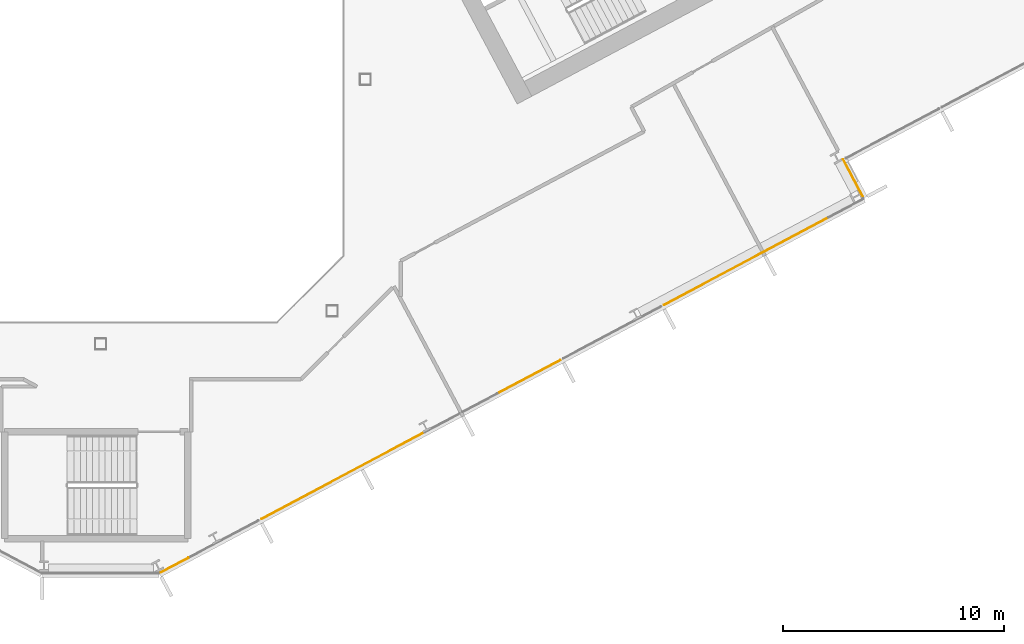
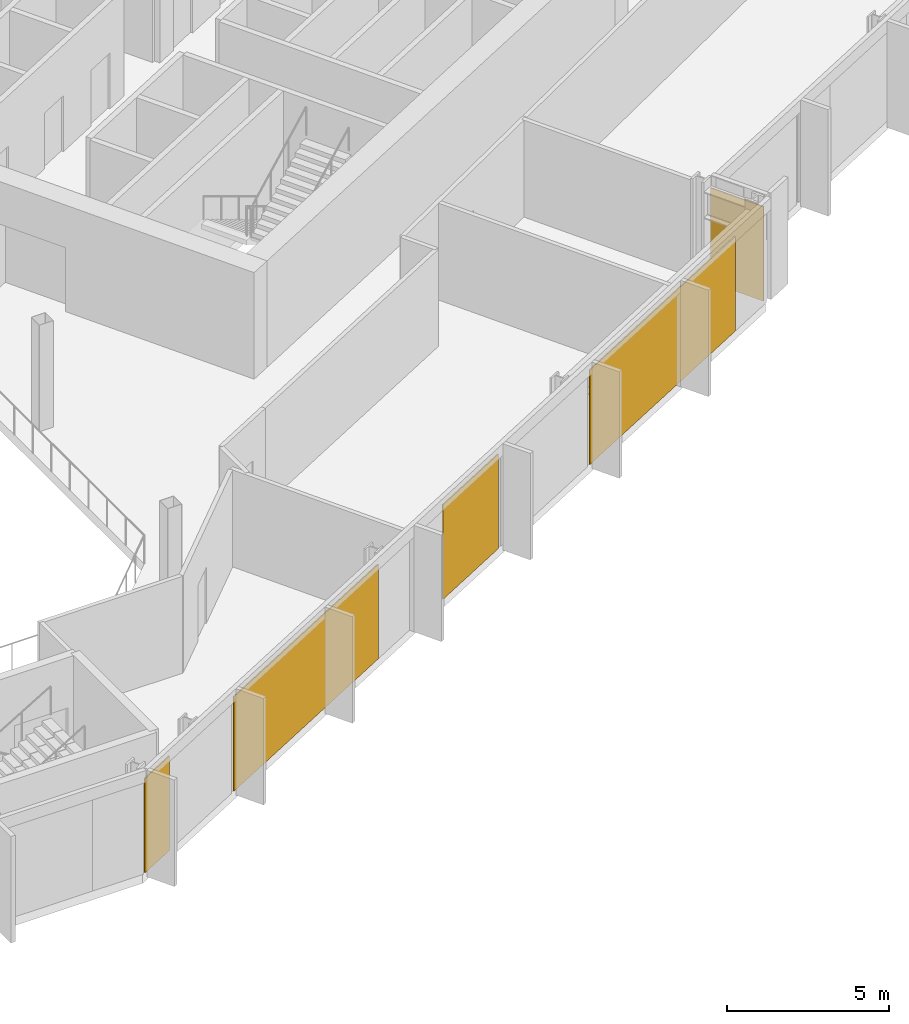
# One storey, part 24 of 28: 5 coverings, 2 elements without a shape of their own.
"""IFC4 building model written with IfcOpenShell, lengths in metres."""

from ifc_helpers import new_model, si_unit, direction, frame, origin, origin_2d, place, context, subcontext, project, spatial, rectangle, extrude, material, layer, layer_set, type_object, element, aggregate, save


model = new_model("IFC4")

# Units and contexts
model_context = context("Model", 3, precision=1e-05, world=origin(), true_north=direction((0.0, 1.0)))
body_context = subcontext(model_context, "Body", "Model", "MODEL_VIEW")
ifc_project = project(units=[si_unit("LENGTHUNIT", "METRE"), si_unit("AREAUNIT", "SQUARE_METRE"), si_unit("VOLUMEUNIT", "CUBIC_METRE"), si_unit("PLANEANGLEUNIT", "RADIAN"), si_unit("MASSUNIT", "GRAM", prefix="KILO")], contexts=[model_context])

# Site, building, storey
site_placement = place(None, origin())
site = spatial("IfcSite", under=ifc_project, at=site_placement, CompositionType="ELEMENT")
building_placement = place(site_placement, origin())
building = spatial("IfcBuilding", under=site, at=building_placement, Name="Cormorant Relay Tower", CompositionType="ELEMENT")
storey_placement = place(building_placement, frame((0.0, 0.0, 142.199951171875)))
storey = spatial("IfcBuildingStorey", under=building, at=storey_placement, Name="L29", CompositionType="ELEMENT", Elevation=142.199951171875)

# Curtain wall, coverings
ifc_material_1 = material(Name="Aluminium 6063-T6 anodised bronze", Category="aluminium")
ifc_layer_1 = layer(ifc_material_1, 0.199951171875)
ifc_layer_set_1 = layer_set([ifc_layer_1], Name="CW1 unitised bronze curtain wall with vertical fins")
curtain_wall_type = type_object("IfcCurtainWallType", Name="CW1 unitised bronze curtain wall with vertical fins", PredefinedType="NOTDEFINED", material=ifc_layer_set_1)
curtain_wall_1_placement = place(storey_placement, origin())
curtain_wall_1 = element("IfcCurtainWall", 1, at=curtain_wall_1_placement, inside=storey, type_object=curtain_wall_type, Name="CW1 curtain wall 2", PredefinedType="NOTDEFINED")
ifc_material_2 = material(Name="Pale bronze anodised aluminium insulated panel", Category="aluminium")
ifc_layer_2 = layer(ifc_material_2, 0.0400390625)
ifc_layer_set_2 = layer_set([ifc_layer_2], Name="CW1 pale bronze insulated panel 40")
covering_type = type_object("IfcCoveringType", Name="CW1 pale bronze insulated panel 40", PredefinedType="CLADDING", material=ifc_layer_set_2)
covering_1_placement = place(storey_placement, frame((3.349853515625, -22.025390625, 0.0), z_axis=(0.0, 0.0, 1.0), x_axis=(0.882947592859, 0.469471562786, 0.0)))
covering_1 = element("IfcCovering", 2, at=covering_1_placement, type_object=covering_type, Name="CW1 panel S00", PredefinedType="CLADDING", context=body_context, shape_type="SweptSolid", body=[
    extrude(rectangle(XDim=1.41650390625, YDim=0.0400390625, at=origin_2d()), origin(), (0.0, 0.0, 1.0), 3.550048828125),
])
covering_2_placement = place(storey_placement, frame((10.9873046875, -17.964599609375, 0.0), z_axis=(0.0, 0.0, 1.0), x_axis=(0.882947592859, 0.469471562786, 0.0)))
covering_2 = element("IfcCovering", 3, at=covering_2_placement, type_object=covering_type, Name="CW1 panel S02", PredefinedType="CLADDING", context=body_context, shape_type="SweptSolid", body=[
    extrude(rectangle(XDim=8.383056640625, YDim=0.0400390625, at=origin_2d()), origin(), (0.0, 0.0, 1.0), 3.550048828125),
])
covering_3_placement = place(storey_placement, frame((19.419189453125, -13.481201171875, 0.0), z_axis=(0.0, 0.0, 1.0), x_axis=(0.882947592859, 0.469471562786, 0.0)))
covering_3 = element("IfcCovering", 4, at=covering_3_placement, type_object=covering_type, Name="CW1 panel S05", PredefinedType="CLADDING", context=body_context, shape_type="SweptSolid", body=[
    extrude(rectangle(XDim=3.216552734375, YDim=0.0400390625, at=origin_2d()), origin(), (0.0, 0.0, 1.0), 3.550048828125),
])
covering_4_placement = place(storey_placement, frame((29.267578125, -8.244873046875, 0.0), z_axis=(0.0, 0.0, 1.0), x_axis=(0.882947592859, 0.469471562786, 0.0)))
covering_4 = element("IfcCovering", 5, at=covering_4_placement, type_object=covering_type, Name="CW1 panel S07", PredefinedType="CLADDING", context=body_context, shape_type="SweptSolid", body=[
    extrude(rectangle(XDim=8.4580078125, YDim=0.0400390625, at=origin_2d()), origin(), (0.0, 0.0, 1.0), 3.550048828125),
])
aggregate(curtain_wall_1, [covering_1, covering_2, covering_3, covering_4])

# Curtain wall, covering
curtain_wall_2_placement = place(storey_placement, origin())
curtain_wall_2 = element("IfcCurtainWall", 6, at=curtain_wall_2_placement, inside=storey, type_object=curtain_wall_type, Name="CW1 curtain wall 3", PredefinedType="NOTDEFINED")
covering_5_placement = place(storey_placement, frame((34.112060546875, -4.47119140625, 0.0), z_axis=(0.0, 0.0, 1.0), x_axis=(-0.469471562786, 0.882947592859, 0.0)))
covering_5 = element("IfcCovering", 7, at=covering_5_placement, type_object=covering_type, Name="CW1 panel S00", PredefinedType="CLADDING", context=body_context, shape_type="SweptSolid", body=[
    extrude(rectangle(XDim=1.925048828125, YDim=0.0400390625, at=origin_2d()), origin(), (0.0, 0.0, 1.0), 3.550048828125),
])
aggregate(curtain_wall_2, [covering_5])

save(model, "model.ifc")
